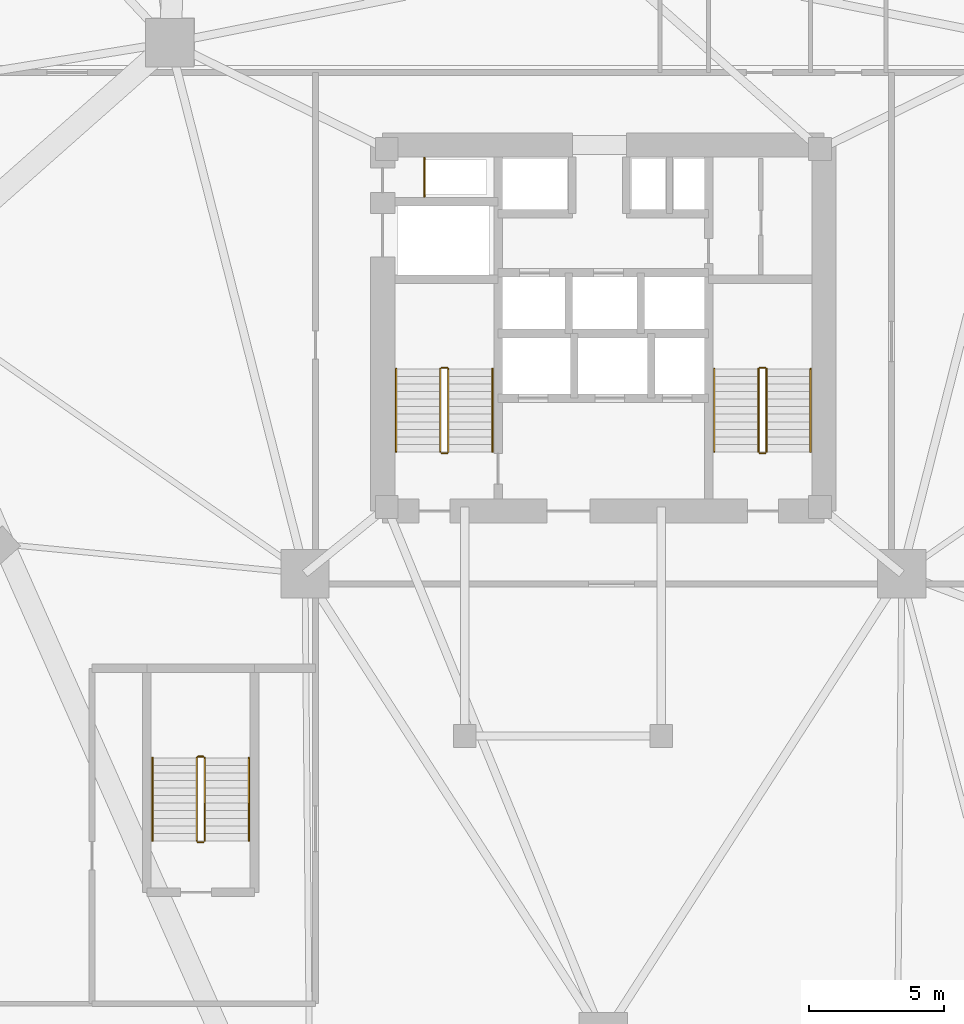
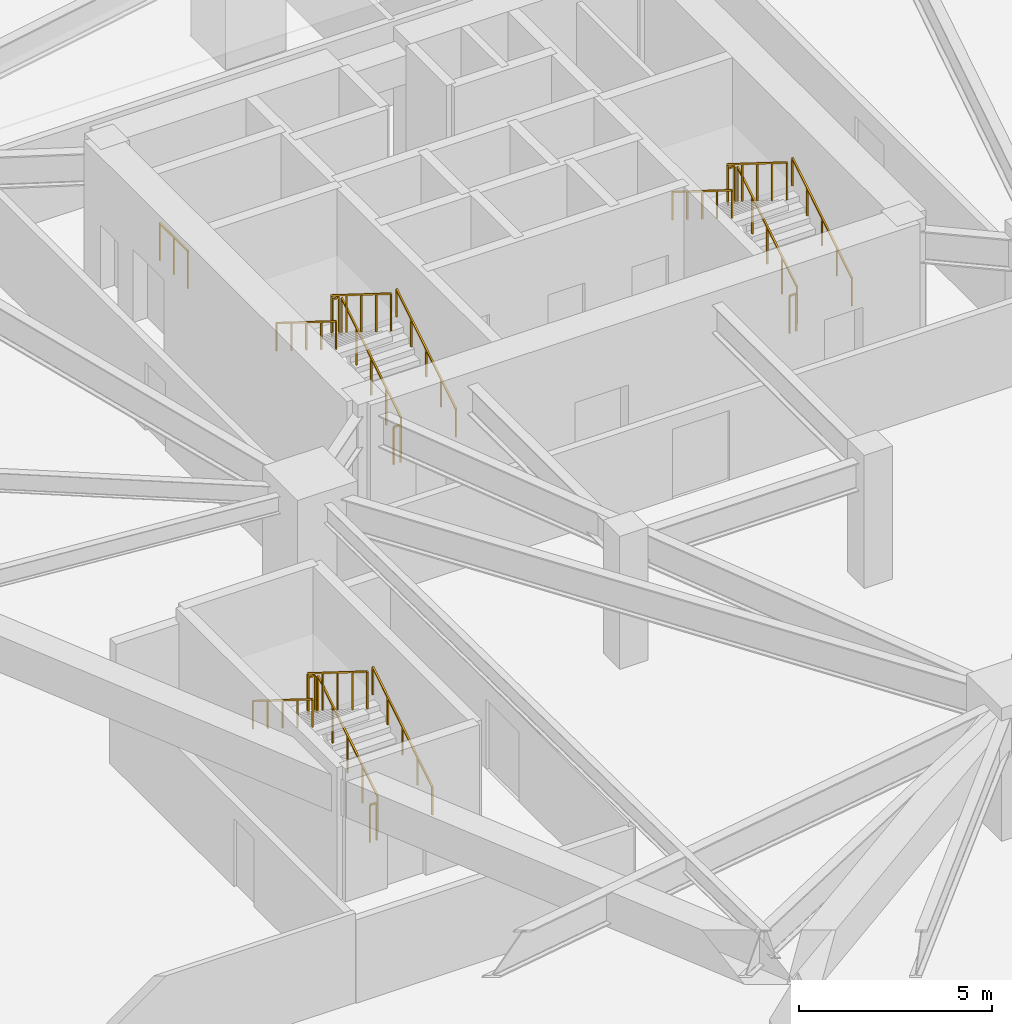
# One storey, part 9 of 10: 19 railings.
"""IFC4 building model written with IfcOpenShell, lengths in metres."""

from ifc_helpers import new_model, si_unit, direction, frame, origin, origin_2d, place, context, subcontext, project, spatial, rectangle, extrude, material, type_object, element, save


model = new_model("IFC4")

# Units and contexts
model_context = context("Model", 3, precision=1e-05, world=origin(), true_north=direction((0.0, 1.0)))
body_context = subcontext(model_context, "Body", "Model", "MODEL_VIEW")
ifc_project = project(units=[si_unit("LENGTHUNIT", "METRE"), si_unit("AREAUNIT", "SQUARE_METRE"), si_unit("VOLUMEUNIT", "CUBIC_METRE"), si_unit("PLANEANGLEUNIT", "RADIAN"), si_unit("MASSUNIT", "GRAM", prefix="KILO")], contexts=[model_context])

# Site, building, storey
site_placement = place(None, origin())
site = spatial("IfcSite", under=ifc_project, at=site_placement, CompositionType="ELEMENT")
building_placement = place(site_placement, origin())
building = spatial("IfcBuilding", under=site, at=building_placement, Name="Talyreon Biosciences Tower", CompositionType="ELEMENT")
storey_placement = place(building_placement, frame((0.0, 0.0, 18.60009765625)))
storey = spatial("IfcBuildingStorey", under=building, at=storey_placement, Name="L04", CompositionType="ELEMENT", Elevation=18.60009765625)

# Railings
ifc_material_1 = material(Name="Brushed stainless-steel tubular handrail", Category="steel")
railing_type_1 = type_object("IfcRailingType", Name="StairWallHandrail_900", PredefinedType="HANDRAIL", material=ifc_material_1)
railing_1_placement = place(storey_placement, frame((61.8798828125, 63.39990234375, 0.1748046875)))
element("IfcRailing", 1, at=railing_1_placement, inside=storey, type_object=railing_type_1, Name="L04 ST-1 stair handrail 1", PredefinedType="HANDRAIL", context=body_context, shape_type="SweptSolid", body=[
    extrude(rectangle(XDim=0.048095703125, YDim=0.048095703125, at=origin_2d()), frame((0.0, 0.0, 0.8759765625), z_axis=(0.0, 0.847998304005, 0.529998940003), x_axis=(-1.0, 0.0, 0.0)), (0.0, 0.0, 1.0), 3.632080078125),
    extrude(rectangle(XDim=0.0419921875, YDim=0.0419921875, at=origin_2d()), origin(), (0.0, 0.0, 1.0), 0.851806640625),
    extrude(rectangle(XDim=0.0419921875, YDim=0.0419921875, at=origin_2d()), frame((0.0, 0.77001953125, 0.481201171875)), (0.0, 0.0, 1.0), 0.851806640625),
    extrude(rectangle(XDim=0.0419921875, YDim=0.0419921875, at=origin_2d()), frame((0.0, 1.5400390625, 0.96240234375)), (0.0, 0.0, 1.0), 0.851806640625),
    extrude(rectangle(XDim=0.0419921875, YDim=0.0419921875, at=origin_2d()), frame((0.0, 2.31005859375, 1.44384765625)), (0.0, 0.0, 1.0), 0.851806640625),
    extrude(rectangle(XDim=0.0419921875, YDim=0.0419921875, at=origin_2d()), frame((0.0, 3.080078125, 1.925048828125)), (0.0, 0.0, 1.0), 0.851806640625),
])
railing_2_placement = place(storey_placement, frame((58.300048828125, 66.47998046875, 2.27490234375)))
element("IfcRailing", 2, at=railing_2_placement, inside=storey, type_object=railing_type_1, Name="L04 ST-1 stair handrail 2", PredefinedType="HANDRAIL", context=body_context, shape_type="SweptSolid", body=[
    extrude(rectangle(XDim=0.048095703125, YDim=0.048095703125, at=origin_2d()), frame((0.0, 0.0, 0.8759765625), z_axis=(0.0, -0.847998304005, 0.529998940003), x_axis=(1.0, 0.0, 0.0)), (0.0, 0.0, 1.0), 3.632080078125),
    extrude(rectangle(XDim=0.0419921875, YDim=0.0419921875, at=origin_2d()), origin(), (0.0, 0.0, 1.0), 0.851806640625),
    extrude(rectangle(XDim=0.0419921875, YDim=0.0419921875, at=origin_2d()), frame((0.0, -0.77001953125, 0.481201171875)), (0.0, 0.0, 1.0), 0.851806640625),
    extrude(rectangle(XDim=0.0419921875, YDim=0.0419921875, at=origin_2d()), frame((0.0, -1.5400390625, 0.96240234375)), (0.0, 0.0, 1.0), 0.851806640625),
    extrude(rectangle(XDim=0.0419921875, YDim=0.0419921875, at=origin_2d()), frame((0.0, -2.31005859375, 1.44384765625)), (0.0, 0.0, 1.0), 0.851806640625),
    extrude(rectangle(XDim=0.0419921875, YDim=0.0419921875, at=origin_2d()), frame((0.0, -3.080078125, 1.925048828125)), (0.0, 0.0, 1.0), 0.851806640625),
])
railing_3_placement = place(storey_placement, frame((73.699951171875, 63.39990234375, 0.1748046875)))
element("IfcRailing", 3, at=railing_3_placement, inside=storey, type_object=railing_type_1, Name="L04 ST-2 stair handrail 1", PredefinedType="HANDRAIL", context=body_context, shape_type="SweptSolid", body=[
    extrude(rectangle(XDim=0.048095703125, YDim=0.048095703125, at=origin_2d()), frame((0.0, 0.0, 0.8759765625), z_axis=(0.0, 0.847998304005, 0.529998940003), x_axis=(-1.0, 0.0, 0.0)), (0.0, 0.0, 1.0), 3.632080078125),
    extrude(rectangle(XDim=0.0419921875, YDim=0.0419921875, at=origin_2d()), origin(), (0.0, 0.0, 1.0), 0.851806640625),
    extrude(rectangle(XDim=0.0419921875, YDim=0.0419921875, at=origin_2d()), frame((0.0, 0.77001953125, 0.481201171875)), (0.0, 0.0, 1.0), 0.851806640625),
    extrude(rectangle(XDim=0.0419921875, YDim=0.0419921875, at=origin_2d()), frame((0.0, 1.5400390625, 0.96240234375)), (0.0, 0.0, 1.0), 0.851806640625),
    extrude(rectangle(XDim=0.0419921875, YDim=0.0419921875, at=origin_2d()), frame((0.0, 2.31005859375, 1.44384765625)), (0.0, 0.0, 1.0), 0.851806640625),
    extrude(rectangle(XDim=0.0419921875, YDim=0.0419921875, at=origin_2d()), frame((0.0, 3.080078125, 1.925048828125)), (0.0, 0.0, 1.0), 0.851806640625),
])
railing_4_placement = place(storey_placement, frame((70.1201171875, 66.47998046875, 2.27490234375)))
element("IfcRailing", 4, at=railing_4_placement, inside=storey, type_object=railing_type_1, Name="L04 ST-2 stair handrail 2", PredefinedType="HANDRAIL", context=body_context, shape_type="SweptSolid", body=[
    extrude(rectangle(XDim=0.048095703125, YDim=0.048095703125, at=origin_2d()), frame((0.0, 0.0, 0.8759765625), z_axis=(0.0, -0.847998304005, 0.529998940003), x_axis=(1.0, 0.0, 0.0)), (0.0, 0.0, 1.0), 3.632080078125),
    extrude(rectangle(XDim=0.0419921875, YDim=0.0419921875, at=origin_2d()), origin(), (0.0, 0.0, 1.0), 0.851806640625),
    extrude(rectangle(XDim=0.0419921875, YDim=0.0419921875, at=origin_2d()), frame((0.0, -0.77001953125, 0.481201171875)), (0.0, 0.0, 1.0), 0.851806640625),
    extrude(rectangle(XDim=0.0419921875, YDim=0.0419921875, at=origin_2d()), frame((0.0, -1.5400390625, 0.96240234375)), (0.0, 0.0, 1.0), 0.851806640625),
    extrude(rectangle(XDim=0.0419921875, YDim=0.0419921875, at=origin_2d()), frame((0.0, -2.31005859375, 1.44384765625)), (0.0, 0.0, 1.0), 0.851806640625),
    extrude(rectangle(XDim=0.0419921875, YDim=0.0419921875, at=origin_2d()), frame((0.0, -3.080078125, 1.925048828125)), (0.0, 0.0, 1.0), 0.851806640625),
])
railing_5_placement = place(storey_placement, frame((52.830078125, 48.949951171875, 0.1748046875)))
element("IfcRailing", 5, at=railing_5_placement, inside=storey, type_object=railing_type_1, Name="L04 ST-3 stair handrail 1", PredefinedType="HANDRAIL", context=body_context, shape_type="SweptSolid", body=[
    extrude(rectangle(XDim=0.048095703125, YDim=0.048095703125, at=origin_2d()), frame((0.0, 0.0, 0.8759765625), z_axis=(0.0, 0.847998304005, 0.529998940003), x_axis=(-1.0, 0.0, 0.0)), (0.0, 0.0, 1.0), 3.632080078125),
    extrude(rectangle(XDim=0.0419921875, YDim=0.0419921875, at=origin_2d()), origin(), (0.0, 0.0, 1.0), 0.851806640625),
    extrude(rectangle(XDim=0.0419921875, YDim=0.0419921875, at=origin_2d()), frame((0.0, 0.77001953125, 0.481201171875)), (0.0, 0.0, 1.0), 0.851806640625),
    extrude(rectangle(XDim=0.0419921875, YDim=0.0419921875, at=origin_2d()), frame((0.0, 1.5400390625, 0.96240234375)), (0.0, 0.0, 1.0), 0.851806640625),
    extrude(rectangle(XDim=0.0419921875, YDim=0.0419921875, at=origin_2d()), frame((0.0, 2.31005859375, 1.44384765625)), (0.0, 0.0, 1.0), 0.851806640625),
    extrude(rectangle(XDim=0.0419921875, YDim=0.0419921875, at=origin_2d()), frame((0.0, 3.080078125, 1.925048828125)), (0.0, 0.0, 1.0), 0.851806640625),
])
railing_6_placement = place(storey_placement, frame((49.25, 52.030029296875, 2.27490234375)))
element("IfcRailing", 6, at=railing_6_placement, inside=storey, type_object=railing_type_1, Name="L04 ST-3 stair handrail 2", PredefinedType="HANDRAIL", context=body_context, shape_type="SweptSolid", body=[
    extrude(rectangle(XDim=0.048095703125, YDim=0.048095703125, at=origin_2d()), frame((0.0, 0.0, 0.8759765625), z_axis=(0.0, -0.847998304005, 0.529998940003), x_axis=(1.0, 0.0, 0.0)), (0.0, 0.0, 1.0), 3.632080078125),
    extrude(rectangle(XDim=0.0419921875, YDim=0.0419921875, at=origin_2d()), origin(), (0.0, 0.0, 1.0), 0.851806640625),
    extrude(rectangle(XDim=0.0419921875, YDim=0.0419921875, at=origin_2d()), frame((0.0, -0.77001953125, 0.481201171875)), (0.0, 0.0, 1.0), 0.851806640625),
    extrude(rectangle(XDim=0.0419921875, YDim=0.0419921875, at=origin_2d()), frame((0.0, -1.5400390625, 0.96240234375)), (0.0, 0.0, 1.0), 0.851806640625),
    extrude(rectangle(XDim=0.0419921875, YDim=0.0419921875, at=origin_2d()), frame((0.0, -2.31005859375, 1.44384765625)), (0.0, 0.0, 1.0), 0.851806640625),
    extrude(rectangle(XDim=0.0419921875, YDim=0.0419921875, at=origin_2d()), frame((0.0, -3.080078125, 1.925048828125)), (0.0, 0.0, 1.0), 0.851806640625),
])
ifc_material_2 = material(Name="Painted galvanised steel post-and-rail balustrade", Category="steel")
railing_type_2 = type_object("IfcRailingType", Name="TerraceStairGuard_1200", PredefinedType="GUARDRAIL", material=ifc_material_2)
railing_7_placement = place(storey_placement, frame((60.239990234375, 63.39990234375, 0.1748046875)))
element("IfcRailing", 7, at=railing_7_placement, inside=storey, type_object=railing_type_2, Name="L04 ST-1 stair guard 1", PredefinedType="GUARDRAIL", context=body_context, shape_type="SweptSolid", body=[
    extrude(rectangle(XDim=0.048095703125, YDim=0.048095703125, at=origin_2d()), frame((0.0, 0.0, 1.17578125), z_axis=(0.0, 0.847998304005, 0.529998940003), x_axis=(-1.0, 0.0, 0.0)), (0.0, 0.0, 1.0), 3.632080078125),
    extrude(rectangle(XDim=0.0419921875, YDim=0.0419921875, at=origin_2d()), origin(), (0.0, 0.0, 1.0), 1.15185546875),
    extrude(rectangle(XDim=0.0419921875, YDim=0.0419921875, at=origin_2d()), frame((0.0, 0.77001953125, 0.481201171875)), (0.0, 0.0, 1.0), 1.15185546875),
    extrude(rectangle(XDim=0.0419921875, YDim=0.0419921875, at=origin_2d()), frame((0.0, 1.5400390625, 0.96240234375)), (0.0, 0.0, 1.0), 1.15185546875),
    extrude(rectangle(XDim=0.0419921875, YDim=0.0419921875, at=origin_2d()), frame((0.0, 2.31005859375, 1.44384765625)), (0.0, 0.0, 1.0), 1.15185546875),
    extrude(rectangle(XDim=0.0419921875, YDim=0.0419921875, at=origin_2d()), frame((0.0, 3.080078125, 1.925048828125)), (0.0, 0.0, 1.0), 1.15185546875),
])
railing_8_placement = place(storey_placement, frame((60.18994140625, 66.530029296875, 2.099853515625)))
element("IfcRailing", 8, at=railing_8_placement, inside=storey, type_object=railing_type_2, Name="L04 ST-1 stair guard 2", PredefinedType="GUARDRAIL", context=body_context, shape_type="SweptSolid", body=[
    extrude(rectangle(XDim=0.048095703125, YDim=0.048095703125, at=origin_2d()), frame((0.0, 0.0, 1.17578125), z_axis=(-1.0, 0.0, 0.0), x_axis=(0.0, -1.0, 0.0)), (0.0, 0.0, 1.0), 0.199951171875),
    extrude(rectangle(XDim=0.0419921875, YDim=0.0419921875, at=origin_2d()), origin(), (0.0, 0.0, 1.0), 1.15185546875),
    extrude(rectangle(XDim=0.0419921875, YDim=0.0419921875, at=origin_2d()), frame((-0.199951171875, 0.0, 0.0)), (0.0, 0.0, 1.0), 1.15185546875),
])
railing_9_placement = place(storey_placement, frame((59.93994140625, 66.47998046875, 2.27490234375)))
element("IfcRailing", 9, at=railing_9_placement, inside=storey, type_object=railing_type_2, Name="L04 ST-1 stair guard 3", PredefinedType="GUARDRAIL", context=body_context, shape_type="SweptSolid", body=[
    extrude(rectangle(XDim=0.048095703125, YDim=0.048095703125, at=origin_2d()), frame((0.0, 0.0, 1.17578125), z_axis=(0.0, -0.847998304005, 0.529998940003), x_axis=(1.0, 0.0, 0.0)), (0.0, 0.0, 1.0), 3.632080078125),
    extrude(rectangle(XDim=0.0419921875, YDim=0.0419921875, at=origin_2d()), origin(), (0.0, 0.0, 1.0), 1.15185546875),
    extrude(rectangle(XDim=0.0419921875, YDim=0.0419921875, at=origin_2d()), frame((0.0, -0.77001953125, 0.481201171875)), (0.0, 0.0, 1.0), 1.15185546875),
    extrude(rectangle(XDim=0.0419921875, YDim=0.0419921875, at=origin_2d()), frame((0.0, -1.5400390625, 0.96240234375)), (0.0, 0.0, 1.0), 1.15185546875),
    extrude(rectangle(XDim=0.0419921875, YDim=0.0419921875, at=origin_2d()), frame((0.0, -2.31005859375, 1.44384765625)), (0.0, 0.0, 1.0), 1.15185546875),
    extrude(rectangle(XDim=0.0419921875, YDim=0.0419921875, at=origin_2d()), frame((0.0, -3.080078125, 1.925048828125)), (0.0, 0.0, 1.0), 1.15185546875),
])
railing_10_placement = place(storey_placement, frame((60.18994140625, 63.35009765625, 0.0)))
element("IfcRailing", 10, at=railing_10_placement, inside=storey, type_object=railing_type_2, Name="L04 ST-1 stair guard 4", PredefinedType="GUARDRAIL", context=body_context, shape_type="SweptSolid", body=[
    extrude(rectangle(XDim=0.048095703125, YDim=0.048095703125, at=origin_2d()), frame((0.0, 0.0, 1.17578125), z_axis=(-1.0, 0.0, 0.0), x_axis=(0.0, -1.0, 0.0)), (0.0, 0.0, 1.0), 0.199951171875),
    extrude(rectangle(XDim=0.0419921875, YDim=0.0419921875, at=origin_2d()), origin(), (0.0, 0.0, 1.0), 1.15185546875),
    extrude(rectangle(XDim=0.0419921875, YDim=0.0419921875, at=origin_2d()), frame((-0.199951171875, 0.0, 0.0)), (0.0, 0.0, 1.0), 1.15185546875),
])
railing_11_placement = place(storey_placement, frame((72.06005859375, 63.39990234375, 0.1748046875)))
element("IfcRailing", 11, at=railing_11_placement, inside=storey, type_object=railing_type_2, Name="L04 ST-2 stair guard 1", PredefinedType="GUARDRAIL", context=body_context, shape_type="SweptSolid", body=[
    extrude(rectangle(XDim=0.048095703125, YDim=0.048095703125, at=origin_2d()), frame((0.0, 0.0, 1.17578125), z_axis=(0.0, 0.847998304005, 0.529998940003), x_axis=(-1.0, 0.0, 0.0)), (0.0, 0.0, 1.0), 3.632080078125),
    extrude(rectangle(XDim=0.0419921875, YDim=0.0419921875, at=origin_2d()), origin(), (0.0, 0.0, 1.0), 1.15185546875),
    extrude(rectangle(XDim=0.0419921875, YDim=0.0419921875, at=origin_2d()), frame((0.0, 0.77001953125, 0.481201171875)), (0.0, 0.0, 1.0), 1.15185546875),
    extrude(rectangle(XDim=0.0419921875, YDim=0.0419921875, at=origin_2d()), frame((0.0, 1.5400390625, 0.96240234375)), (0.0, 0.0, 1.0), 1.15185546875),
    extrude(rectangle(XDim=0.0419921875, YDim=0.0419921875, at=origin_2d()), frame((0.0, 2.31005859375, 1.44384765625)), (0.0, 0.0, 1.0), 1.15185546875),
    extrude(rectangle(XDim=0.0419921875, YDim=0.0419921875, at=origin_2d()), frame((0.0, 3.080078125, 1.925048828125)), (0.0, 0.0, 1.0), 1.15185546875),
])
railing_12_placement = place(storey_placement, frame((72.010009765625, 66.530029296875, 2.099853515625)))
element("IfcRailing", 12, at=railing_12_placement, inside=storey, type_object=railing_type_2, Name="L04 ST-2 stair guard 2", PredefinedType="GUARDRAIL", context=body_context, shape_type="SweptSolid", body=[
    extrude(rectangle(XDim=0.048095703125, YDim=0.048095703125, at=origin_2d()), frame((0.0, 0.0, 1.17578125), z_axis=(-1.0, 0.0, 0.0), x_axis=(0.0, -1.0, 0.0)), (0.0, 0.0, 1.0), 0.199951171875),
    extrude(rectangle(XDim=0.0419921875, YDim=0.0419921875, at=origin_2d()), origin(), (0.0, 0.0, 1.0), 1.15185546875),
    extrude(rectangle(XDim=0.0419921875, YDim=0.0419921875, at=origin_2d()), frame((-0.199951171875, 0.0, 0.0)), (0.0, 0.0, 1.0), 1.15185546875),
])
railing_13_placement = place(storey_placement, frame((71.760009765625, 66.47998046875, 2.27490234375)))
element("IfcRailing", 13, at=railing_13_placement, inside=storey, type_object=railing_type_2, Name="L04 ST-2 stair guard 3", PredefinedType="GUARDRAIL", context=body_context, shape_type="SweptSolid", body=[
    extrude(rectangle(XDim=0.048095703125, YDim=0.048095703125, at=origin_2d()), frame((0.0, 0.0, 1.17578125), z_axis=(0.0, -0.847998304005, 0.529998940003), x_axis=(1.0, 0.0, 0.0)), (0.0, 0.0, 1.0), 3.632080078125),
    extrude(rectangle(XDim=0.0419921875, YDim=0.0419921875, at=origin_2d()), origin(), (0.0, 0.0, 1.0), 1.15185546875),
    extrude(rectangle(XDim=0.0419921875, YDim=0.0419921875, at=origin_2d()), frame((0.0, -0.77001953125, 0.481201171875)), (0.0, 0.0, 1.0), 1.15185546875),
    extrude(rectangle(XDim=0.0419921875, YDim=0.0419921875, at=origin_2d()), frame((0.0, -1.5400390625, 0.96240234375)), (0.0, 0.0, 1.0), 1.15185546875),
    extrude(rectangle(XDim=0.0419921875, YDim=0.0419921875, at=origin_2d()), frame((0.0, -2.31005859375, 1.44384765625)), (0.0, 0.0, 1.0), 1.15185546875),
    extrude(rectangle(XDim=0.0419921875, YDim=0.0419921875, at=origin_2d()), frame((0.0, -3.080078125, 1.925048828125)), (0.0, 0.0, 1.0), 1.15185546875),
])
railing_14_placement = place(storey_placement, frame((72.010009765625, 63.35009765625, 0.0)))
element("IfcRailing", 14, at=railing_14_placement, inside=storey, type_object=railing_type_2, Name="L04 ST-2 stair guard 4", PredefinedType="GUARDRAIL", context=body_context, shape_type="SweptSolid", body=[
    extrude(rectangle(XDim=0.048095703125, YDim=0.048095703125, at=origin_2d()), frame((0.0, 0.0, 1.17578125), z_axis=(-1.0, 0.0, 0.0), x_axis=(0.0, -1.0, 0.0)), (0.0, 0.0, 1.0), 0.199951171875),
    extrude(rectangle(XDim=0.0419921875, YDim=0.0419921875, at=origin_2d()), origin(), (0.0, 0.0, 1.0), 1.15185546875),
    extrude(rectangle(XDim=0.0419921875, YDim=0.0419921875, at=origin_2d()), frame((-0.199951171875, 0.0, 0.0)), (0.0, 0.0, 1.0), 1.15185546875),
])
railing_15_placement = place(storey_placement, frame((51.18994140625, 48.949951171875, 0.1748046875)))
element("IfcRailing", 15, at=railing_15_placement, inside=storey, type_object=railing_type_2, Name="L04 ST-3 stair guard 1", PredefinedType="GUARDRAIL", context=body_context, shape_type="SweptSolid", body=[
    extrude(rectangle(XDim=0.048095703125, YDim=0.048095703125, at=origin_2d()), frame((0.0, 0.0, 1.17578125), z_axis=(0.0, 0.847998304005, 0.529998940003), x_axis=(-1.0, 0.0, 0.0)), (0.0, 0.0, 1.0), 3.632080078125),
    extrude(rectangle(XDim=0.0419921875, YDim=0.0419921875, at=origin_2d()), origin(), (0.0, 0.0, 1.0), 1.15185546875),
    extrude(rectangle(XDim=0.0419921875, YDim=0.0419921875, at=origin_2d()), frame((0.0, 0.77001953125, 0.481201171875)), (0.0, 0.0, 1.0), 1.15185546875),
    extrude(rectangle(XDim=0.0419921875, YDim=0.0419921875, at=origin_2d()), frame((0.0, 1.5400390625, 0.96240234375)), (0.0, 0.0, 1.0), 1.15185546875),
    extrude(rectangle(XDim=0.0419921875, YDim=0.0419921875, at=origin_2d()), frame((0.0, 2.31005859375, 1.44384765625)), (0.0, 0.0, 1.0), 1.15185546875),
    extrude(rectangle(XDim=0.0419921875, YDim=0.0419921875, at=origin_2d()), frame((0.0, 3.080078125, 1.925048828125)), (0.0, 0.0, 1.0), 1.15185546875),
])
railing_16_placement = place(storey_placement, frame((51.139892578125, 52.080078125, 2.099853515625)))
element("IfcRailing", 16, at=railing_16_placement, inside=storey, type_object=railing_type_2, Name="L04 ST-3 stair guard 2", PredefinedType="GUARDRAIL", context=body_context, shape_type="SweptSolid", body=[
    extrude(rectangle(XDim=0.048095703125, YDim=0.048095703125, at=origin_2d()), frame((0.0, 0.0, 1.17578125), z_axis=(-1.0, 0.0, 0.0), x_axis=(0.0, -1.0, 0.0)), (0.0, 0.0, 1.0), 0.199951171875),
    extrude(rectangle(XDim=0.0419921875, YDim=0.0419921875, at=origin_2d()), origin(), (0.0, 0.0, 1.0), 1.15185546875),
    extrude(rectangle(XDim=0.0419921875, YDim=0.0419921875, at=origin_2d()), frame((-0.199951171875, 0.0, 0.0)), (0.0, 0.0, 1.0), 1.15185546875),
])
railing_17_placement = place(storey_placement, frame((50.889892578125, 52.030029296875, 2.27490234375)))
element("IfcRailing", 17, at=railing_17_placement, inside=storey, type_object=railing_type_2, Name="L04 ST-3 stair guard 3", PredefinedType="GUARDRAIL", context=body_context, shape_type="SweptSolid", body=[
    extrude(rectangle(XDim=0.048095703125, YDim=0.048095703125, at=origin_2d()), frame((0.0, 0.0, 1.17578125), z_axis=(0.0, -0.847998304005, 0.529998940003), x_axis=(1.0, 0.0, 0.0)), (0.0, 0.0, 1.0), 3.632080078125),
    extrude(rectangle(XDim=0.0419921875, YDim=0.0419921875, at=origin_2d()), origin(), (0.0, 0.0, 1.0), 1.15185546875),
    extrude(rectangle(XDim=0.0419921875, YDim=0.0419921875, at=origin_2d()), frame((0.0, -0.77001953125, 0.481201171875)), (0.0, 0.0, 1.0), 1.15185546875),
    extrude(rectangle(XDim=0.0419921875, YDim=0.0419921875, at=origin_2d()), frame((0.0, -1.5400390625, 0.96240234375)), (0.0, 0.0, 1.0), 1.15185546875),
    extrude(rectangle(XDim=0.0419921875, YDim=0.0419921875, at=origin_2d()), frame((0.0, -2.31005859375, 1.44384765625)), (0.0, 0.0, 1.0), 1.15185546875),
    extrude(rectangle(XDim=0.0419921875, YDim=0.0419921875, at=origin_2d()), frame((0.0, -3.080078125, 1.925048828125)), (0.0, 0.0, 1.0), 1.15185546875),
])
railing_18_placement = place(storey_placement, frame((51.139892578125, 48.89990234375, 0.0)))
element("IfcRailing", 18, at=railing_18_placement, inside=storey, type_object=railing_type_2, Name="L04 ST-3 stair guard 4", PredefinedType="GUARDRAIL", context=body_context, shape_type="SweptSolid", body=[
    extrude(rectangle(XDim=0.048095703125, YDim=0.048095703125, at=origin_2d()), frame((0.0, 0.0, 1.17578125), z_axis=(-1.0, 0.0, 0.0), x_axis=(0.0, -1.0, 0.0)), (0.0, 0.0, 1.0), 0.199951171875),
    extrude(rectangle(XDim=0.0419921875, YDim=0.0419921875, at=origin_2d()), origin(), (0.0, 0.0, 1.0), 1.15185546875),
    extrude(rectangle(XDim=0.0419921875, YDim=0.0419921875, at=origin_2d()), frame((-0.199951171875, 0.0, 0.0)), (0.0, 0.0, 1.0), 1.15185546875),
])
railing_19_placement = place(storey_placement, frame((59.35009765625, 72.8798828125, 0.0)))
element("IfcRailing", 19, at=railing_19_placement, inside=storey, type_object=railing_type_2, Name="L04 Exhaust Riser Maintenance Guardrail", PredefinedType="GUARDRAIL", context=body_context, shape_type="SweptSolid", body=[
    extrude(rectangle(XDim=0.048095703125, YDim=0.048095703125, at=origin_2d()), frame((0.0, 0.0, 1.17578125), z_axis=(0.0, 1.0, 0.0), x_axis=(-1.0, 0.0, 0.0)), (0.0, 0.0, 1.0), 1.4501953125),
    extrude(rectangle(XDim=0.0419921875, YDim=0.0419921875, at=origin_2d()), origin(), (0.0, 0.0, 1.0), 1.15185546875),
    extrude(rectangle(XDim=0.0419921875, YDim=0.0419921875, at=origin_2d()), frame((0.0, 0.72509765625, 0.0)), (0.0, 0.0, 1.0), 1.15185546875),
    extrude(rectangle(XDim=0.0419921875, YDim=0.0419921875, at=origin_2d()), frame((0.0, 1.4501953125, 0.0)), (0.0, 0.0, 1.0), 1.15185546875),
])

save(model, "model.ifc")
